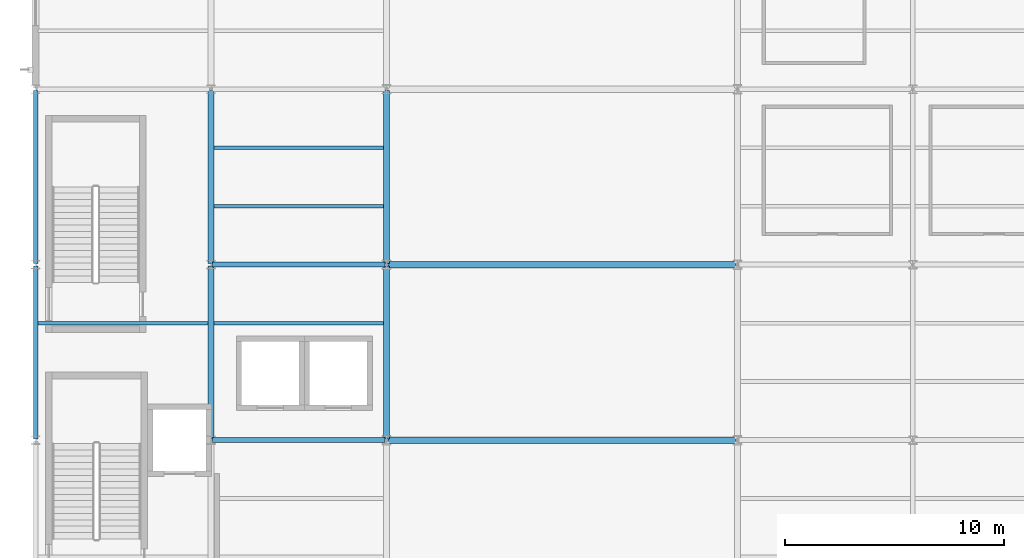
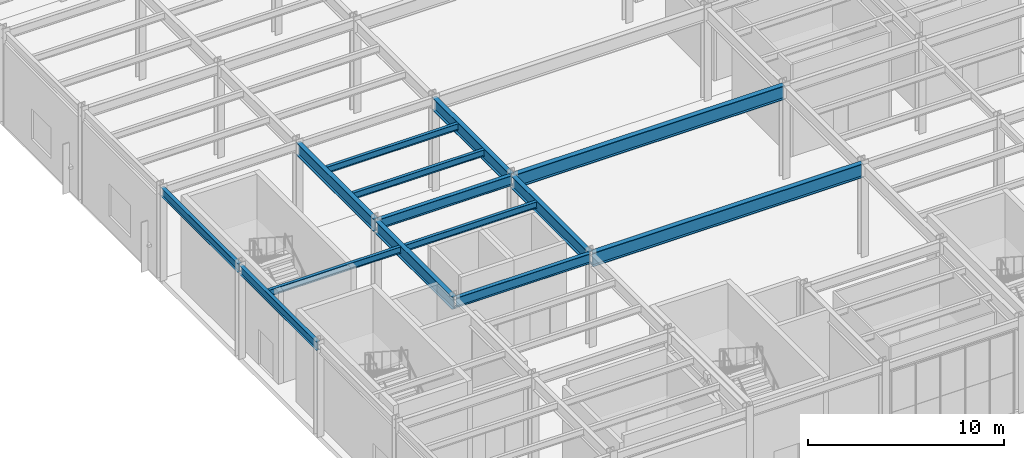
# One storey, part 28 of 82: 14 beams.
"""IFC4 building model written with IfcOpenShell, lengths in metres."""

import ifcopenshell
import ifcopenshell.guid

model = None  # the IFC model being written
_history = None  # IfcOwnerHistory: only IFC2X3 demands one
_inside = {}  # id of a spatial element -> (the spatial element, [elements in it])
_under = {}  # id of a project, library or spatial element -> (it, [spatial elements below it])
_declared = {}  # id of a project -> (the project, [libraries it declares])
_typed = {}  # id of a type object -> (the type object, [elements of that type])
_made_of = {}  # id of a material, layer set ... -> (it, [elements and type objects made of it])


def new_model(schema):
    """Start an empty IFC model of exactly this schema.

    Asked for "IFC4X3", IfcOpenShell would pick the latest addendum, in which some entities
    have other attributes; the version numbers below select the first issue.
    IFC2X3 requires an IfcOwnerHistory on every rooted entity: one is made here for all.
    """
    global model, _history
    if schema == "IFC4X3":
        model = ifcopenshell.file(schema_version=(4, 3, 0, 0))
    else:
        model = ifcopenshell.file(schema=schema)
    _inside.clear()
    _under.clear()
    _declared.clear()
    _typed.clear()
    _made_of.clear()
    _history = None
    if model.schema == "IFC2X3":
        org = make("IfcOrganization", Name="unknown")
        user = make(
            "IfcPersonAndOrganization",
            ThePerson=make("IfcPerson", FamilyName="unknown"),
            TheOrganization=org,
        )
        app = make(
            "IfcApplication",
            ApplicationDeveloper=org,
            Version="unknown",
            ApplicationFullName="unknown",
            ApplicationIdentifier="unknown",
        )
        _history = make(
            "IfcOwnerHistory",
            OwningUser=user,
            OwningApplication=app,
            ChangeAction="ADDED",
            CreationDate=0,
        )
    return model


def make(cls, **values):
    """One entity of the class cls with the attributes given. An attribute that is None is left unset."""
    return model.create_entity(
        cls, **{name: value for name, value in values.items() if value is not None}
    )


def rooted(cls, **values):
    """An entity with a GlobalId (a new one), such as an element, a storey or a relation."""
    return make(cls, GlobalId=ifcopenshell.guid.new(), OwnerHistory=_history, **values)


def si_unit(unit_type, name, prefix=None):
    """IfcSIUnit, for example si_unit("LENGTHUNIT", "METRE", prefix="MILLI")."""
    return make("IfcSIUnit", UnitType=unit_type, Prefix=prefix, Name=name)


def assignment(units):
    """IfcUnitAssignment: the units of a project."""
    return None if units is None else make("IfcUnitAssignment", Units=units)


def point(xyz):
    """IfcCartesianPoint."""
    return None if xyz is None else make("IfcCartesianPoint", Coordinates=xyz)


def direction(xyz):
    """IfcDirection."""
    return None if xyz is None else make("IfcDirection", DirectionRatios=xyz)


def frame(location, z_axis=None, x_axis=None):
    """IfcAxis2Placement3D, a coordinate frame: its origin and axes. An axis left out is left unset."""
    return make(
        "IfcAxis2Placement3D",
        Location=point(location),
        Axis=direction(z_axis),
        RefDirection=direction(x_axis),
    )


def frame_2d(location, x_axis=None):
    """IfcAxis2Placement2D, a coordinate frame in the plane: its origin and x axis."""
    return make(
        "IfcAxis2Placement2D", Location=point(location), RefDirection=direction(x_axis)
    )


def origin():
    """The frame at (0, 0, 0) with its axes left unset."""
    return frame((0.0, 0.0, 0.0))


def origin_2d():
    """The frame at (0, 0) in the plane with its x axis left unset."""
    return frame_2d((0.0, 0.0))


def place(relative_to, where):
    """IfcLocalPlacement: puts the frame where relative to a parent placement (None: the world)."""
    return make(
        "IfcLocalPlacement", PlacementRelTo=relative_to, RelativePlacement=where
    )


def context(
    kind, dimensions, precision=None, world=None, true_north=None, identifier=None
):
    """IfcGeometricRepresentationContext, for example the 3D "Model" context."""
    return make(
        "IfcGeometricRepresentationContext",
        ContextIdentifier=identifier,
        ContextType=kind,
        CoordinateSpaceDimension=dimensions,
        Precision=precision,
        WorldCoordinateSystem=world,
        TrueNorth=true_north,
    )


def subcontext(parent, identifier, kind, view, scale=None):
    """IfcGeometricRepresentationSubContext, for example "Body" below "Model"."""
    return make(
        "IfcGeometricRepresentationSubContext",
        ContextIdentifier=identifier,
        ContextType=kind,
        ParentContext=parent,
        TargetScale=scale,
        TargetView=view,
    )


def project(units=None, contexts=None):
    """IfcProject with its units and contexts."""
    return rooted(
        "IfcProject",
        Name="project",
        RepresentationContexts=contexts,
        UnitsInContext=assignment(units),
    )


def spatial(cls, under=None, at=None, **own):
    """A site, building, storey or space (cls), placed at a placement, below another one or the project."""
    s = rooted(cls, ObjectPlacement=at, **own)
    if under is not None:
        _under.setdefault(under.id(), (under, []))[1].append(s)
    return s


def profile(cls, at=None, kind="AREA", **sizes):
    """A parametric profile (cls). Its sizes go by their IFC names, for example OverallWidth=200.0."""
    return make(cls, ProfileType=kind, Position=at, **sizes)


def i_section(**sizes):
    """IfcIShapeProfileDef."""
    return profile("IfcIShapeProfileDef", **sizes)


def extrude(swept, where, along, depth):
    """IfcExtrudedAreaSolid: the profile swept, set in the frame where, extruded along a direction by depth."""
    return make(
        "IfcExtrudedAreaSolid",
        SweptArea=swept,
        Position=where,
        ExtrudedDirection=direction(along),
        Depth=depth,
    )


def shape(context_of_items, identifier, shape_type, items):
    """IfcShapeRepresentation: the items that make up one representation, for example the "Body"."""
    return make(
        "IfcShapeRepresentation",
        ContextOfItems=context_of_items,
        RepresentationIdentifier=identifier,
        RepresentationType=shape_type,
        Items=items,
    )


def material(Name=None, Category=None):
    """IfcMaterial."""
    return make("IfcMaterial", Name=Name, Category=Category)


def material_profile(
    of_material, cross_section, Name=None, Category=None, Priority=None
):
    """IfcMaterialProfile: a cross section and its material."""
    return make(
        "IfcMaterialProfile",
        Name=Name,
        Material=of_material,
        Profile=cross_section,
        Priority=Priority,
        Category=Category,
    )


def profile_set(profiles, Name=None, composite=None):
    """IfcMaterialProfileSet."""
    return make(
        "IfcMaterialProfileSet",
        Name=Name,
        MaterialProfiles=profiles,
        CompositeProfile=composite,
    )


def made_of(thing, what):
    """Note that an element or type object is made of a material, layer set ...; save() writes the relation."""
    if what is not None:
        _made_of.setdefault(what.id(), (what, []))[1].append(thing)
    return thing


def type_object(cls, material=None, **own):
    """A type object (cls), such as IfcWallType, which elements share."""
    return made_of(rooted(cls, **own), material)


def element(
    cls,
    number,
    at=None,
    inside=None,
    cuts=None,
    type_object=None,
    material=None,
    context=None,
    identifier="Body",
    shape_type=None,
    held_by="IfcProductDefinitionShape",
    body=None,
    shapes=None,
    **own,
):
    """One element of the class cls, such as IfcWall. Its Tag is "e" and its number.

    at: its placement. inside: the storey or other place that contains it. cuts: it is an
    opening in that element (IfcRelVoidsElement). A single representation is given by context,
    identifier, shape_type and body (its items); several are given by shapes. held_by: the class
    of the entity that holds the representations. save() writes the other relations.
    """
    e = rooted(cls, Tag="e%d" % number, ObjectPlacement=at, **own)
    if body is not None:
        shapes = [shape(context, identifier, shape_type, body)]
    if shapes is not None:
        e.Representation = make(held_by, Representations=shapes)
    if inside is not None:
        _inside.setdefault(inside.id(), (inside, []))[1].append(e)
    if cuts is not None:
        rooted(
            "IfcRelVoidsElement", RelatingBuildingElement=cuts, RelatedOpeningElement=e
        )
    if type_object is not None:
        _typed.setdefault(type_object.id(), (type_object, []))[1].append(e)
    return made_of(e, material)


def aggregate(whole, parts):
    """IfcRelAggregates: a whole, such as a stair, and the parts it consists of."""
    return rooted("IfcRelAggregates", RelatingObject=whole, RelatedObjects=parts)


def save(model, path):
    """Write the relations noted so far, then the file.

    IfcRelAggregates (storeys below a building ...), IfcRelContainedInSpatialStructure (elements
    in a storey), IfcRelDefinesByType, IfcRelAssociatesMaterial and IfcRelDeclares: one each for
    every whole, place, type object, material and project.
    """
    for whole, parts in _under.values():
        aggregate(whole, parts)
    for where, things in _inside.values():
        rooted(
            "IfcRelContainedInSpatialStructure",
            RelatedElements=things,
            RelatingStructure=where,
        )
    for kind, things in _typed.values():
        rooted("IfcRelDefinesByType", RelatedObjects=things, RelatingType=kind)
    for what, things in _made_of.values():
        rooted("IfcRelAssociatesMaterial", RelatedObjects=things, RelatingMaterial=what)
    for by, libraries in _declared.values():
        rooted("IfcRelDeclares", RelatingContext=by, RelatedDefinitions=libraries)
    model.write(path)


model = new_model("IFC4")

# Units and contexts
model_context = context("Model", 3, precision=1e-05, world=origin(), true_north=direction((0.0, 1.0)))
body_context = subcontext(model_context, "Body", "Model", "MODEL_VIEW")
ifc_project = project(units=[si_unit("LENGTHUNIT", "METRE"), si_unit("AREAUNIT", "SQUARE_METRE"), si_unit("VOLUMEUNIT", "CUBIC_METRE"), si_unit("PLANEANGLEUNIT", "RADIAN"), si_unit("MASSUNIT", "GRAM", prefix="KILO")], contexts=[model_context])

# Site, building, storey
site_placement = place(None, origin())
site = spatial("IfcSite", under=ifc_project, at=site_placement, CompositionType="ELEMENT")
building_placement = place(site_placement, origin())
building = spatial("IfcBuilding", under=site, at=building_placement, Name="Drelvath Fold Interchange", CompositionType="ELEMENT")
storey_placement = place(building_placement, origin())
storey = spatial("IfcBuildingStorey", under=building, at=storey_placement, Name="L00", CompositionType="ELEMENT", Elevation=0.0)

# Beams
ifc_material = material(Name="Steel ASTM A992 Grade 50", Category="steel")
ifc_material_profile_1 = material_profile(ifc_material, i_section(OverallWidth=0.177978515625, OverallDepth=0.403076171875, WebThickness=0.007568359375, FlangeThickness=0.010986328125, at=origin_2d()), Name="W16X36")
ifc_profile_set_1 = profile_set([ifc_material_profile_1], Name="Steel ASTM A992 Grade 50")
beam_type_1 = type_object("IfcBeamType", Name="BM-W16X36", PredefinedType="JOIST", material=ifc_profile_set_1)
beam_placement = place(storey_placement, frame((4.10302734375, 24.3330078125, 5.55810546875), z_axis=(1.0, 0.0, 0.0), x_axis=(0.0, 1.0, 0.0)))
element("IfcBeam", 1, at=beam_placement, inside=storey, type_object=beam_type_1, Name="L00 Secondary floor joist BM-W16X36", PredefinedType="JOIST", context=body_context, shape_type="SweptSolid", body=[
    extrude(i_section(OverallWidth=0.177978515625, OverallDepth=0.403076171875, WebThickness=0.007568359375, FlangeThickness=0.010986328125, at=origin_2d()), origin(), (0.0, 0.0, 1.0), 7.765869140625),
])
for number, where, z_axis, x_axis, name in (
    (2, (12.131103515625, 24.3330078125, 5.55810546875), (1.0, 0.0, 0.0), (0.0, 1.0, 0.0), "L00 Secondary floor joist BM-W16X36"),
    (3, (12.131103515625, 29.6669921875, 5.55810546875), (1.0, 0.0, 0.0), (0.0, 1.0, 0.0), "L00 Secondary floor joist BM-W16X36"),
    (4, (12.131103515625, 32.3330078125, 5.55810546875), (1.0, 0.0, 0.0), (0.0, 1.0, 0.0), "L00 Secondary floor joist BM-W16X36"),
):
    element("IfcBeam", number, at=place(storey_placement, frame(where, z_axis=z_axis, x_axis=x_axis)), inside=storey, type_object=beam_type_1, Name=name, PredefinedType="JOIST", context=body_context, shape_type="SweptSolid", body=[
        extrude(i_section(OverallWidth=0.177978515625, OverallDepth=0.403076171875, WebThickness=0.007568359375, FlangeThickness=0.010986328125, at=origin_2d()), origin(), (0.0, 0.0, 1.0), 7.73779296875),
    ])
ifc_material_profile_2 = material_profile(ifc_material, i_section(OverallWidth=0.2099609375, OverallDepth=0.537109375, WebThickness=0.010986328125, FlangeThickness=0.017333984375, at=origin_2d()), Name="W21X68")
ifc_profile_set_2 = profile_set([ifc_material_profile_2], Name="Steel ASTM A992 Grade 50")
beam_type_2 = type_object("IfcBeamType", Name="BM-W21X68", PredefinedType="SPANDREL", material=ifc_profile_set_2)
for number, where, z_axis, x_axis, name in (
    (5, (4.0, 19.06005859375, 5.490966796875), (0.0, 1.0, 0.0), (-1.0, 0.0, 0.0), "L00 Primary Y girder BM-W21X68"),
    (6, (4.0, 27.06005859375, 5.490966796875), (0.0, 1.0, 0.0), (-1.0, 0.0, 0.0), "L00 Primary Y girder BM-W21X68"),
):
    element("IfcBeam", number, at=place(storey_placement, frame(where, z_axis=z_axis, x_axis=x_axis)), inside=storey, type_object=beam_type_2, Name=name, PredefinedType="SPANDREL", context=body_context, shape_type="SweptSolid", body=[
        extrude(i_section(OverallWidth=0.2099609375, OverallDepth=0.537109375, WebThickness=0.010986328125, FlangeThickness=0.017333984375, at=origin_2d()), origin(), (0.0, 0.0, 1.0), 7.8798828125),
    ])
ifc_material_profile_3 = material_profile(ifc_material, i_section(OverallWidth=0.22998046875, OverallDepth=0.616943359375, WebThickness=0.01318359375, FlangeThickness=0.022216796875, at=origin_2d()), Name="W24X94")
ifc_profile_set_3 = profile_set([ifc_material_profile_3], Name="Steel ASTM A992 Grade 50")
beam_type_3 = type_object("IfcBeamType", Name="BM-W24X94", PredefinedType="BEAM", material=ifc_profile_set_3)
for number, where, z_axis, x_axis, name in (
    (7, (12.06005859375, 19.0, 5.450927734375), (1.0, 0.0, 0.0), (0.0, 1.0, 0.0), "L00 Primary X girder BM-W24X94"),
    (8, (12.06005859375, 27.0, 5.450927734375), (1.0, 0.0, 0.0), (0.0, 1.0, 0.0), "L00 Primary X girder BM-W24X94"),
):
    element("IfcBeam", number, at=place(storey_placement, frame(where, z_axis=z_axis, x_axis=x_axis)), inside=storey, type_object=beam_type_3, Name=name, PredefinedType="BEAM", context=body_context, shape_type="SweptSolid", body=[
        extrude(i_section(OverallWidth=0.22998046875, OverallDepth=0.616943359375, WebThickness=0.01318359375, FlangeThickness=0.022216796875, at=origin_2d()), origin(), (0.0, 0.0, 1.0), 7.8798828125),
    ])
ifc_material_profile_4 = material_profile(ifc_material, i_section(OverallWidth=0.26611328125, OverallDepth=0.779052734375, WebThickness=0.0166015625, FlangeThickness=0.030029296875, at=origin_2d()), Name="W30X148")
ifc_profile_set_4 = profile_set([ifc_material_profile_4], Name="Steel ASTM A992 Grade 50")
beam_type_4 = type_object("IfcBeamType", Name="BM-W30X148", PredefinedType="BEAM", material=ifc_profile_set_4)
for number, where, z_axis, x_axis, name in (
    (9, (12.0, 19.06005859375, 5.3701171875), (0.0, 1.0, 0.0), (-1.0, 0.0, 0.0), "L00 Primary Y girder BM-W30X148"),
    (10, (12.0, 27.06005859375, 5.3701171875), (0.0, 1.0, 0.0), (-1.0, 0.0, 0.0), "L00 Primary Y girder BM-W30X148"),
    (11, (20.0, 19.06005859375, 5.3701171875), (0.0, 1.0, 0.0), (-1.0, 0.0, 0.0), "L00 Primary Y girder BM-W30X148"),
    (12, (20.0, 27.06005859375, 5.3701171875), (0.0, 1.0, 0.0), (-1.0, 0.0, 0.0), "L00 Primary Y girder BM-W30X148"),
):
    element("IfcBeam", number, at=place(storey_placement, frame(where, z_axis=z_axis, x_axis=x_axis)), inside=storey, type_object=beam_type_4, Name=name, PredefinedType="BEAM", context=body_context, shape_type="SweptSolid", body=[
        extrude(i_section(OverallWidth=0.26611328125, OverallDepth=0.779052734375, WebThickness=0.0166015625, FlangeThickness=0.030029296875, at=origin_2d()), origin(), (0.0, 0.0, 1.0), 7.8798828125),
    ])
ifc_material_profile_5 = material_profile(ifc_material, i_section(OverallWidth=0.2919921875, OverallDepth=0.85888671875, WebThickness=0.01708984375, FlangeThickness=0.031005859375, at=origin_2d()), Name="W33X169")
ifc_profile_set_5 = profile_set([ifc_material_profile_5], Name="Steel ASTM A992 Grade 50")
beam_type_5 = type_object("IfcBeamType", Name="BM-W33X169", PredefinedType="USERDEFINED", material=ifc_profile_set_5)
for number, where, z_axis, x_axis, name in (
    (13, (20.06005859375, 19.0, 5.330078125), (1.0, 0.0, 0.0), (0.0, 1.0, 0.0), "L00 Primary X girder BM-W33X169"),
    (14, (20.06005859375, 27.0, 5.330078125), (1.0, 0.0, 0.0), (0.0, 1.0, 0.0), "L00 Primary X girder BM-W33X169"),
):
    element("IfcBeam", number, at=place(storey_placement, frame(where, z_axis=z_axis, x_axis=x_axis)), inside=storey, type_object=beam_type_5, Name=name, ObjectType="GIRDER", PredefinedType="USERDEFINED", context=body_context, shape_type="SweptSolid", body=[
        extrude(i_section(OverallWidth=0.2919921875, OverallDepth=0.85888671875, WebThickness=0.01708984375, FlangeThickness=0.031005859375, at=origin_2d()), origin(), (0.0, 0.0, 1.0), 15.8798828125),
    ])

save(model, "model.ifc")
